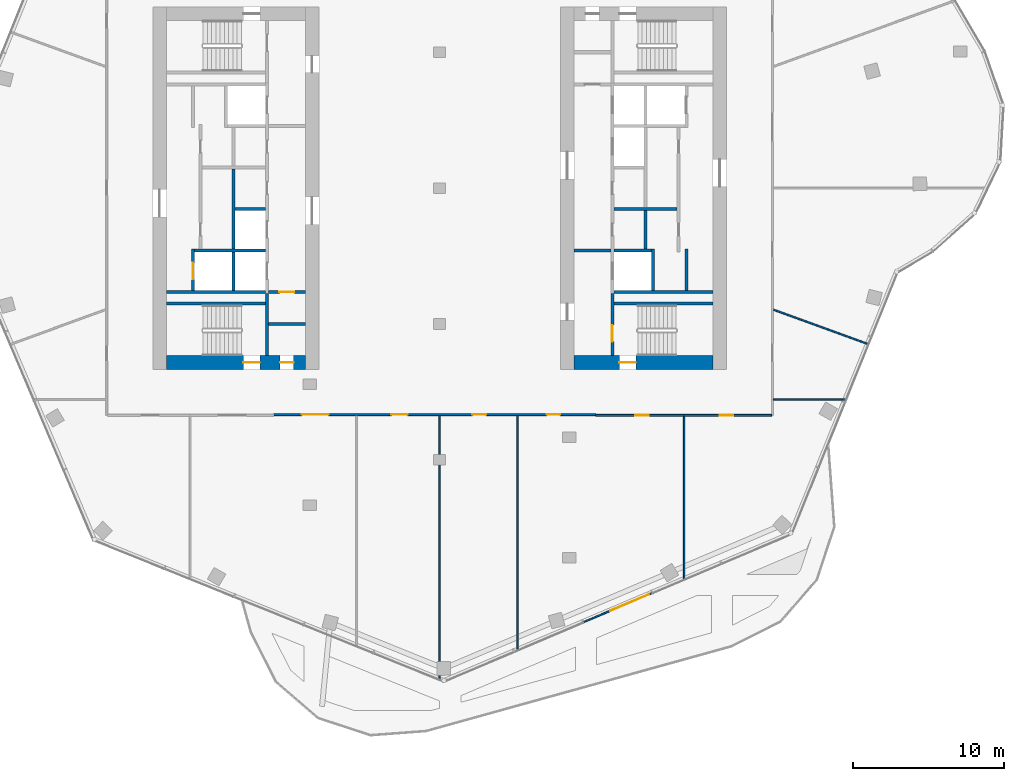
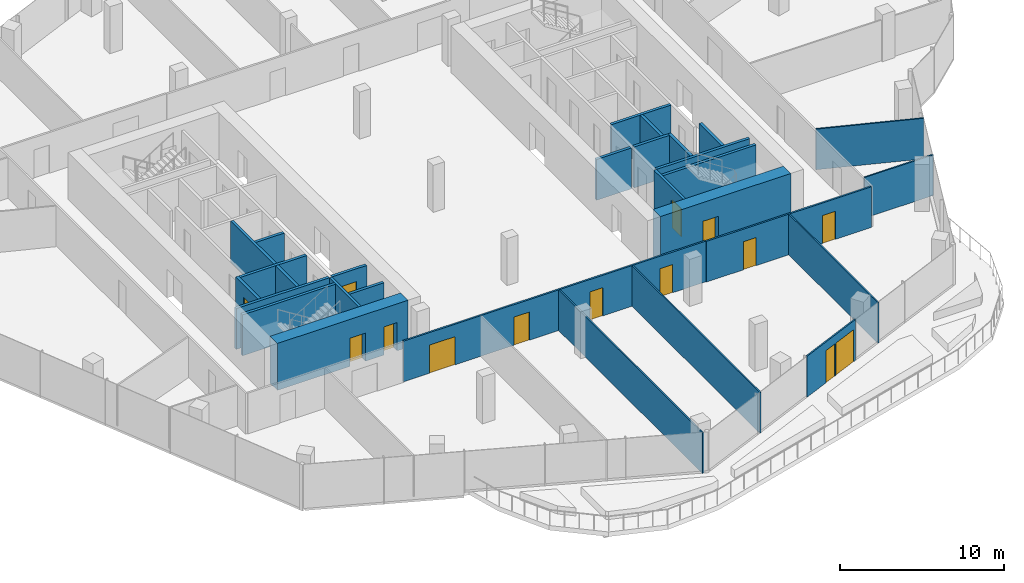
# One storey, part 12 of 17: 29 walls, 13 doors, 1 window, 14 openings.
"""IFC4 building model written with IfcOpenShell, lengths in metres."""

from ifc_helpers import new_model, si_unit, direction, frame, frame_2d, origin, place, context, subcontext, project, spatial, rectangle, extrude, material, layer, layer_set, type_object, element, fill, save


model = new_model("IFC4")

# Units and contexts
model_context = context("Model", 3, precision=1e-05, world=origin(), true_north=direction((0.0, 1.0)))
body_context = subcontext(model_context, "Body", "Model", "MODEL_VIEW")
ifc_project = project(units=[si_unit("LENGTHUNIT", "METRE"), si_unit("AREAUNIT", "SQUARE_METRE"), si_unit("VOLUMEUNIT", "CUBIC_METRE"), si_unit("PLANEANGLEUNIT", "RADIAN"), si_unit("MASSUNIT", "GRAM", prefix="KILO")], contexts=[model_context])

# Site, building, storey
site_placement = place(None, origin())
site = spatial("IfcSite", under=ifc_project, at=site_placement, CompositionType="ELEMENT")
building_placement = place(site_placement, origin())
building = spatial("IfcBuilding", under=site, at=building_placement, Name="Orlundy Tower", CompositionType="ELEMENT")
storey_placement = place(building_placement, frame((0.0, 0.0, 296.39990234375)))
storey = spatial("IfcBuildingStorey", under=building, at=storey_placement, Name="L79", CompositionType="ELEMENT", Elevation=296.39990234375)

# Wall, openings, doors
ifc_material_1 = material(Name="Concrete C50/60", Category="concrete")
ifc_layer_1 = layer(ifc_material_1, 0.89990234375)
ifc_layer_set_1 = layer_set([ifc_layer_1], Name="CORE WALL 900 C50/60")
wall_type_1 = type_object("IfcWallType", Name="CORE WALL 900 C50/60", PredefinedType="SHEAR", material=ifc_layer_set_1)
wall_1_placement = place(storey_placement, frame((-18.10009765625, -11.550048828125, 0.0), z_axis=(0.0, 0.0, 1.0), x_axis=(1.0, 0.0, 0.0)))
wall_1 = element("IfcWall", 1, at=wall_1_placement, inside=storey, type_object=wall_type_1, Name="Core wall W-S L79", PredefinedType="SHEAR", context=body_context, shape_type="SweptSolid", body=[
    extrude(rectangle(XDim=9.2001953125, YDim=0.89990234375, at=frame_2d((4.60009765625, 0.0))), origin(), (0.0, 0.0, 1.0), 3.5),
])
opening_1_placement = place(wall_1_placement, frame((5.10009765625, 0.0, 0.0)))
opening_1 = element("IfcOpeningElement", 2, at=opening_1_placement, cuts=wall_1, Name="Opening 61013", PredefinedType="OPENING", context=body_context, shape_type="SweptSolid", body=[
    extrude(rectangle(XDim=1.10009765625, YDim=2.10009765625, at=frame_2d((0.550048828125, 1.050048828125))), frame((0.0, 0.4599609375, 0.0), z_axis=(0.0, -1.0, 0.0), x_axis=(1.0, 0.0, 0.0)), (0.0, 0.0, 1.0), 0.919921875),
])
opening_2_placement = place(wall_1_placement, frame((7.530029296875, 0.0, 0.0)))
opening_2 = element("IfcOpeningElement", 3, at=opening_2_placement, cuts=wall_1, Name="Opening 61015", PredefinedType="OPENING", context=body_context, shape_type="SweptSolid", body=[
    extrude(rectangle(XDim=0.89990234375, YDim=2.10009765625, at=frame_2d((0.449951171875, 1.050048828125))), frame((0.0, 0.4599609375, 0.0), z_axis=(0.0, -1.0, 0.0), x_axis=(1.0, 0.0, 0.0)), (0.0, 0.0, 1.0), 0.919921875),
])
ifc_material_2 = material(Name="Timber door set", Category="wood")
door_type_1 = type_object("IfcDoorType", Name="Room Door 900x2100", OperationType="SINGLE_SWING_LEFT", PredefinedType="DOOR", material=ifc_material_2)
door_1_placement = place(opening_2_placement, origin())
door_1 = element("IfcDoor", 4, at=door_1_placement, inside=storey, type_object=door_type_1, Name="Store door 61015", OperationType="SINGLE_SWING_RIGHT", OverallHeight=2.10009765625, OverallWidth=0.89990234375, PredefinedType="DOOR", context=body_context, shape_type="SweptSolid", body=[
    extrude(rectangle(XDim=0.89990234375, YDim=2.10009765625, at=frame_2d((0.449951171875, 1.050048828125))), frame((0.0, 0.02490234375, 0.0), z_axis=(0.0, -1.0, 0.0), x_axis=(1.0, 0.0, 0.0)), (0.0, 0.0, 1.0), 0.050048828125),
])
fill(opening_2, door_1)
ifc_material_3 = material(Name="Steel door set", Category="steel")
door_type_2 = type_object("IfcDoorType", Name="Stair Door 1100x2100", OperationType="SINGLE_SWING_LEFT", PredefinedType="DOOR", material=ifc_material_3)
door_2_placement = place(opening_1_placement, origin())
door_2 = element("IfcDoor", 5, at=door_2_placement, inside=storey, type_object=door_type_2, Name="Stair door 61013", OperationType="SINGLE_SWING_RIGHT", OverallHeight=2.10009765625, OverallWidth=1.10009765625, PredefinedType="DOOR", context=body_context, shape_type="SweptSolid", body=[
    extrude(rectangle(XDim=1.10009765625, YDim=2.10009765625, at=frame_2d((0.550048828125, 1.050048828125))), frame((0.0, 0.02490234375, 0.0), z_axis=(0.0, -1.0, 0.0), x_axis=(1.0, 0.0, 0.0)), (0.0, 0.0, 1.0), 0.050048828125),
])
fill(opening_1, door_2)

# Wall, opening, door
wall_2_placement = place(storey_placement, frame((8.89990234375, -11.550048828125, 0.0), z_axis=(0.0, 0.0, 1.0), x_axis=(1.0, 0.0, 0.0)))
wall_2 = element("IfcWall", 6, at=wall_2_placement, inside=storey, type_object=wall_type_1, Name="Core wall E-S L79", PredefinedType="SHEAR", context=body_context, shape_type="SweptSolid", body=[
    extrude(rectangle(XDim=9.2001953125, YDim=0.89990234375, at=frame_2d((4.60009765625, 0.0))), origin(), (0.0, 0.0, 1.0), 3.5),
])
opening_3_placement = place(wall_2_placement, frame((3.0, 0.0, 0.0)))
opening_3 = element("IfcOpeningElement", 7, at=opening_3_placement, cuts=wall_2, Name="Opening 61061", PredefinedType="OPENING", context=body_context, shape_type="SweptSolid", body=[
    extrude(rectangle(XDim=1.10009765625, YDim=2.10009765625, at=frame_2d((0.550048828125, 1.050048828125))), frame((0.0, 0.4599609375, 0.0), z_axis=(0.0, -1.0, 0.0), x_axis=(1.0, 0.0, 0.0)), (0.0, 0.0, 1.0), 0.919921875),
])
door_3_placement = place(opening_3_placement, origin())
door_3 = element("IfcDoor", 8, at=door_3_placement, inside=storey, type_object=door_type_2, Name="Stair door 61061", OperationType="SINGLE_SWING_LEFT", OverallHeight=2.10009765625, OverallWidth=1.10009765625, PredefinedType="DOOR", context=body_context, shape_type="SweptSolid", body=[
    extrude(rectangle(XDim=1.10009765625, YDim=2.10009765625, at=frame_2d((0.550048828125, 1.050048828125))), frame((0.0, 0.02490234375, 0.0), z_axis=(0.0, -1.0, 0.0), x_axis=(1.0, 0.0, 0.0)), (0.0, 0.0, 1.0), 0.050048828125),
])
fill(opening_3, door_3)

# Walls
ifc_material_4 = material(Name="Gypsum board partition")
ifc_layer_2 = layer(ifc_material_4, 0.10009765625)
ifc_layer_set_2 = layer_set([ifc_layer_2], Name="Floor partition 100")
wall_type_2 = type_object("IfcWallType", Name="Floor partition 100", PredefinedType="PARTITIONING", material=ifc_layer_set_2)
wall_3_placement = place(storey_placement, frame((22.131103515625, -8.054931640625, 0.0), z_axis=(0.0, 0.0, 1.0), x_axis=(0.939658582815, -0.342113647406, 0.0)))
element("IfcWall", 9, at=wall_3_placement, inside=storey, type_object=wall_type_2, Name="wall-int-L79-002", PredefinedType="PARTITIONING", context=body_context, shape_type="SweptSolid", body=[
    extrude(rectangle(XDim=6.71728515625, YDim=0.10009765625, at=frame_2d((3.358642578125, 0.0))), origin(), (0.0, 0.0, 1.0), 3.030029296875),
])
wall_4_placement = place(storey_placement, frame((22.113037109375, -14.0, 0.0), z_axis=(0.0, 0.0, 1.0), x_axis=(1.0, 0.0, 0.0)))
element("IfcWall", 10, at=wall_4_placement, inside=storey, type_object=wall_type_2, Name="wall-int-L79-007", PredefinedType="PARTITIONING", context=body_context, shape_type="SweptSolid", body=[
    extrude(rectangle(XDim=4.85693359375, YDim=0.10009765625, at=frame_2d((2.428466796875, 0.0))), origin(), (0.0, 0.0, 1.0), 3.030029296875),
])
wall_5_placement = place(storey_placement, frame((16.199951171875, -25.987060546875, 0.0), z_axis=(0.0, 0.0, 1.0), x_axis=(0.0, 1.0, 0.0)))
element("IfcWall", 11, at=wall_5_placement, inside=storey, type_object=wall_type_2, Name="wall-int-L79-018", PredefinedType="PARTITIONING", context=body_context, shape_type="SweptSolid", body=[
    extrude(rectangle(XDim=10.873046875, YDim=0.10009765625, at=frame_2d((5.4365234375, 0.0))), origin(), (0.0, 0.0, 1.0), 3.030029296875),
])
wall_6_placement = place(storey_placement, frame((5.175048828125, -30.666015625, 0.0), z_axis=(0.0, 0.0, 1.0), x_axis=(0.0, 1.0, 0.0)))
element("IfcWall", 12, at=wall_6_placement, inside=storey, type_object=wall_type_2, Name="wall-int-L79-020", PredefinedType="PARTITIONING", context=body_context, shape_type="SweptSolid", body=[
    extrude(rectangle(XDim=15.60302734375, YDim=0.10009765625, at=frame_2d((7.801513671875, 0.0))), origin(), (0.0, 0.0, 1.0), 3.030029296875),
])
wall_7_placement = place(storey_placement, frame((0.0, -32.626953125, 0.0), z_axis=(0.0, 0.0, 1.0), x_axis=(0.0, 1.0, 0.0)))
element("IfcWall", 13, at=wall_7_placement, inside=storey, type_object=wall_type_2, Name="wall-int-L79-021", PredefinedType="PARTITIONING", context=body_context, shape_type="SweptSolid", body=[
    extrude(rectangle(XDim=17.56396484375, YDim=0.10009765625, at=frame_2d((8.781982421875, 0.0))), origin(), (0.0, 0.0, 1.0), 3.030029296875),
])

# Wall, openings, doors
ifc_material_5 = material(Name="Gypsum board partition, double layer")
ifc_layer_3 = layer(ifc_material_5, 0.125)
ifc_layer_set_3 = layer_set([ifc_layer_3], Name="Floor partition 125")
wall_type_3 = type_object("IfcWallType", Name="Floor partition 125", PredefinedType="PARTITIONING", material=ifc_layer_set_3)
wall_8_placement = place(storey_placement, frame((21.988037109375, -15.051025390625, 0.0), z_axis=(0.0, 0.0, 1.0), x_axis=(-1.0, 0.0, 0.0)))
wall_8 = element("IfcWall", 14, at=wall_8_placement, inside=storey, type_object=wall_type_3, Name="wall-int-L79-004", PredefinedType="PARTITIONING", context=body_context, shape_type="SweptSolid", body=[
    extrude(rectangle(XDim=11.637939453125, YDim=0.125, at=frame_2d((5.81884765625, 0.0))), origin(), (0.0, 0.0, 1.0), 3.030029296875),
])
opening_4_placement = place(wall_8_placement, frame((8.137451171875, 0.0, 0.0)))
opening_4 = element("IfcOpeningElement", 15, at=opening_4_placement, cuts=wall_8, Name="Opening 61108", PredefinedType="OPENING", context=body_context, shape_type="SweptSolid", body=[
    extrude(rectangle(XDim=0.89990234375, YDim=2.10009765625, at=frame_2d((0.449951171875, 1.050048828125))), frame((0.0, 0.072509765625, 0.0), z_axis=(0.0, -1.0, 0.0), x_axis=(1.0, 0.0, 0.0)), (0.0, 0.0, 1.0), 0.14501953125),
])
opening_5_placement = place(wall_8_placement, frame((2.53759765625, 0.0, 0.0)))
opening_5 = element("IfcOpeningElement", 16, at=opening_5_placement, cuts=wall_8, Name="Opening 61109", PredefinedType="OPENING", context=body_context, shape_type="SweptSolid", body=[
    extrude(rectangle(XDim=0.89990234375, YDim=2.10009765625, at=frame_2d((0.449951171875, 1.050048828125))), frame((0.0, 0.072509765625, 0.0), z_axis=(0.0, -1.0, 0.0), x_axis=(1.0, 0.0, 0.0)), (0.0, 0.0, 1.0), 0.14501953125),
])
ifc_material_6 = material(Name="Timber door leaf", Category="wood")
door_type_3 = type_object("IfcDoorType", Name="Floor door single 900 FD30S", OperationType="NOTDEFINED", PredefinedType="DOOR", material=ifc_material_6)
door_4_placement = place(opening_4_placement, origin())
door_4 = element("IfcDoor", 17, at=door_4_placement, inside=storey, type_object=door_type_3, Name="Door 61108", OperationType="SINGLE_SWING_RIGHT", OverallHeight=2.10009765625, OverallWidth=0.89990234375, PredefinedType="DOOR", context=body_context, shape_type="SweptSolid", body=[
    extrude(rectangle(XDim=0.89990234375, YDim=2.10009765625, at=frame_2d((0.449951171875, 1.050048828125))), frame((0.0, 0.02490234375, 0.0), z_axis=(0.0, -1.0, 0.0), x_axis=(1.0, 0.0, 0.0)), (0.0, 0.0, 1.0), 0.050048828125),
])
fill(opening_4, door_4)
door_5_placement = place(opening_5_placement, origin())
door_5 = element("IfcDoor", 18, at=door_5_placement, inside=storey, type_object=door_type_3, Name="Door 61109", OperationType="SINGLE_SWING_LEFT", OverallHeight=2.10009765625, OverallWidth=0.89990234375, PredefinedType="DOOR", context=body_context, shape_type="SweptSolid", body=[
    extrude(rectangle(XDim=0.89990234375, YDim=2.10009765625, at=frame_2d((0.449951171875, 1.050048828125))), frame((0.0, 0.02490234375, 0.0), z_axis=(0.0, -1.0, 0.0), x_axis=(1.0, 0.0, 0.0)), (0.0, 0.0, 1.0), 0.050048828125),
])
fill(opening_5, door_5)

wall_9_placement = place(storey_placement, frame((10.34912109375, -15.0009765625, 0.0), z_axis=(0.0, 0.0, 1.0), x_axis=(-1.0, 0.0, 0.0)))
wall_9 = element("IfcWall", 19, at=wall_9_placement, inside=storey, type_object=wall_type_3, Name="wall-int-L79-005", PredefinedType="PARTITIONING", context=body_context, shape_type="SweptSolid", body=[
    extrude(rectangle(XDim=21.339111328125, YDim=0.125, at=frame_2d((10.66943359375, 0.0))), origin(), (0.0, 0.0, 1.0), 3.030029296875),
])
opening_6_placement = place(wall_9_placement, frame((17.693115234375, 0.0, 0.0)))
opening_6 = element("IfcOpeningElement", 20, at=opening_6_placement, cuts=wall_9, Name="Opening 61104", PredefinedType="OPENING", context=body_context, shape_type="SweptSolid", body=[
    extrude(rectangle(XDim=1.800048828125, YDim=2.10009765625, at=frame_2d((0.89990234375, 1.050048828125))), frame((0.0, 0.072509765625, 0.0), z_axis=(0.0, -1.0, 0.0), x_axis=(1.0, 0.0, 0.0)), (0.0, 0.0, 1.0), 0.14501953125),
])
opening_7_placement = place(wall_9_placement, frame((12.448974609375, 0.0, 0.0)))
opening_7 = element("IfcOpeningElement", 21, at=opening_7_placement, cuts=wall_9, Name="Opening 61105", PredefinedType="OPENING", context=body_context, shape_type="SweptSolid", body=[
    extrude(rectangle(XDim=1.10009765625, YDim=2.10009765625, at=frame_2d((0.550048828125, 1.050048828125))), frame((0.0, 0.072509765625, 0.0), z_axis=(0.0, -1.0, 0.0), x_axis=(1.0, 0.0, 0.0)), (0.0, 0.0, 1.0), 0.14501953125),
])
opening_8_placement = place(wall_9_placement, frame((7.27392578125, 0.0, 0.0)))
opening_8 = element("IfcOpeningElement", 22, at=opening_8_placement, cuts=wall_9, Name="Opening 61106", PredefinedType="OPENING", context=body_context, shape_type="SweptSolid", body=[
    extrude(rectangle(XDim=0.89990234375, YDim=2.10009765625, at=frame_2d((0.449951171875, 1.050048828125))), frame((0.0, 0.072509765625, 0.0), z_axis=(0.0, -1.0, 0.0), x_axis=(1.0, 0.0, 0.0)), (0.0, 0.0, 1.0), 0.14501953125),
])
opening_9_placement = place(wall_9_placement, frame((2.35009765625, 0.0, 0.0)))
opening_9 = element("IfcOpeningElement", 23, at=opening_9_placement, cuts=wall_9, Name="Opening 61107", PredefinedType="OPENING", context=body_context, shape_type="SweptSolid", body=[
    extrude(rectangle(XDim=0.89990234375, YDim=2.10009765625, at=frame_2d((0.449951171875, 1.050048828125))), frame((0.0, 0.072509765625, 0.0), z_axis=(0.0, -1.0, 0.0), x_axis=(1.0, 0.0, 0.0)), (0.0, 0.0, 1.0), 0.14501953125),
])
ifc_material_7 = material(Name="Timber door leaf", Category="wood")
door_type_4 = type_object("IfcDoorType", Name="Floor door double 1800 FD30S", OperationType="NOTDEFINED", PredefinedType="DOOR", material=ifc_material_7)
door_6_placement = place(opening_6_placement, origin())
door_6 = element("IfcDoor", 24, at=door_6_placement, inside=storey, type_object=door_type_4, Name="Door 61104", OperationType="DOUBLE_DOOR_SINGLE_SWING", OverallHeight=2.10009765625, OverallWidth=1.800048828125, PredefinedType="DOOR", context=body_context, shape_type="SweptSolid", body=[
    extrude(rectangle(XDim=1.800048828125, YDim=2.10009765625, at=frame_2d((0.89990234375, 1.050048828125))), frame((0.0, 0.02490234375, 0.0), z_axis=(0.0, -1.0, 0.0), x_axis=(1.0, 0.0, 0.0)), (0.0, 0.0, 1.0), 0.050048828125),
])
fill(opening_6, door_6)
door_7_placement = place(opening_8_placement, origin())
door_7 = element("IfcDoor", 25, at=door_7_placement, inside=storey, type_object=door_type_3, Name="Door 61106", OperationType="SINGLE_SWING_LEFT", OverallHeight=2.10009765625, OverallWidth=0.89990234375, PredefinedType="DOOR", context=body_context, shape_type="SweptSolid", body=[
    extrude(rectangle(XDim=0.89990234375, YDim=2.10009765625, at=frame_2d((0.449951171875, 1.050048828125))), frame((0.0, 0.02490234375, 0.0), z_axis=(0.0, -1.0, 0.0), x_axis=(1.0, 0.0, 0.0)), (0.0, 0.0, 1.0), 0.050048828125),
])
fill(opening_8, door_7)
door_8_placement = place(opening_9_placement, origin())
door_8 = element("IfcDoor", 26, at=door_8_placement, inside=storey, type_object=door_type_3, Name="Door 61107", OperationType="SINGLE_SWING_LEFT", OverallHeight=2.10009765625, OverallWidth=0.89990234375, PredefinedType="DOOR", context=body_context, shape_type="SweptSolid", body=[
    extrude(rectangle(XDim=0.89990234375, YDim=2.10009765625, at=frame_2d((0.449951171875, 1.050048828125))), frame((0.0, 0.02490234375, 0.0), z_axis=(0.0, -1.0, 0.0), x_axis=(1.0, 0.0, 0.0)), (0.0, 0.0, 1.0), 0.050048828125),
])
fill(opening_9, door_8)
ifc_material_8 = material(Name="Timber door leaf", Category="wood")
door_type_5 = type_object("IfcDoorType", Name="Floor door xwide 1100 FD30S", OperationType="NOTDEFINED", PredefinedType="DOOR", material=ifc_material_8)
door_9_placement = place(opening_7_placement, origin())
door_9 = element("IfcDoor", 27, at=door_9_placement, inside=storey, type_object=door_type_5, Name="Door 61105", OperationType="SINGLE_SWING_RIGHT", OverallHeight=2.10009765625, OverallWidth=1.10009765625, PredefinedType="DOOR", context=body_context, shape_type="SweptSolid", body=[
    extrude(rectangle(XDim=1.10009765625, YDim=2.10009765625, at=frame_2d((0.550048828125, 1.050048828125))), frame((0.0, 0.02490234375, 0.0), z_axis=(0.0, -1.0, 0.0), x_axis=(1.0, 0.0, 0.0)), (0.0, 0.0, 1.0), 0.050048828125),
])
fill(opening_7, door_9)

# Wall, openings, window, door
ifc_material_9 = material(Name="Aluminium bronze and tinted glass", Category="aluminium")
ifc_layer_4 = layer(ifc_material_9, 0.10009765625)
ifc_layer_set_4 = layer_set([ifc_layer_4], Name="Glazed door screen")
wall_type_4 = type_object("IfcWallType", Name="Glazed door screen", PredefinedType="STANDARD", material=ifc_layer_set_4)
wall_10_placement = place(storey_placement, frame((14.06103515625, -26.8291015625, 0.0), z_axis=(0.0, 0.0, 1.0), x_axis=(-0.920509872574, -0.390719303968, 0.0)))
wall_10 = element("IfcWall", 28, at=wall_10_placement, inside=storey, type_object=wall_type_4, Name="Glazed door screen", PredefinedType="STANDARD", context=body_context, shape_type="SweptSolid", body=[
    extrude(rectangle(XDim=4.920654296875, YDim=0.10009765625, at=frame_2d((2.46044921875, 0.0))), origin(), (0.0, 0.0, 1.0), 3.050048828125),
])
opening_10_placement = place(wall_10_placement, frame((0.199951171875, 0.0, 0.0)))
opening_10 = element("IfcOpeningElement", 29, at=opening_10_placement, cuts=wall_10, Name="Opening 61940", PredefinedType="OPENING", context=body_context, shape_type="SweptSolid", body=[
    extrude(rectangle(XDim=1.800048828125, YDim=2.39990234375, at=frame_2d((0.89990234375, 1.199951171875))), frame((0.0, 0.06005859375, 0.0), z_axis=(0.0, -1.0, 0.0), x_axis=(1.0, 0.0, 0.0)), (0.0, 0.0, 1.0), 0.1201171875),
])
opening_11_placement = place(wall_10_placement, frame((2.10009765625, 0.0, 0.0)))
opening_11 = element("IfcOpeningElement", 30, at=opening_11_placement, cuts=wall_10, Name="Opening W02", PredefinedType="OPENING", context=body_context, shape_type="SweptSolid", body=[
    extrude(rectangle(XDim=0.89990234375, YDim=2.39990234375, at=frame_2d((0.449951171875, 1.199951171875))), frame((0.0, 0.06005859375, 0.0), z_axis=(0.0, -1.0, 0.0), x_axis=(1.0, 0.0, 0.0)), (0.0, 0.0, 1.0), 0.1201171875),
])
ifc_material_10 = material(Name="Tinted glass in bronze aluminium frame", Category="aluminium")
window_type = type_object("IfcWindowType", Name="SL2 sidelight 900x2400", PartitioningType="SINGLE_PANEL", PredefinedType="WINDOW", material=ifc_material_10)
window_placement = place(opening_11_placement, origin())
window = element("IfcWindow", 31, at=window_placement, inside=storey, type_object=window_type, Name="Window W02 L79", OverallHeight=2.39990234375, OverallWidth=0.89990234375, PartitioningType="SINGLE_PANEL", PredefinedType="WINDOW", context=body_context, shape_type="SweptSolid", body=[
    extrude(rectangle(XDim=0.89990234375, YDim=2.39990234375, at=frame_2d((0.449951171875, 1.199951171875))), frame((0.0, 0.030029296875, 0.0), z_axis=(0.0, -1.0, 0.0), x_axis=(1.0, 0.0, 0.0)), (0.0, 0.0, 1.0), 0.06005859375),
])
fill(opening_11, window)
ifc_material_11 = material(Name="Aluminium bronze and tinted glass", Category="aluminium")
door_type_6 = type_object("IfcDoorType", Name="TD3 terrace sliding door 1800x2400", OperationType="DOUBLE_DOOR_SLIDING", PredefinedType="DOOR", material=ifc_material_11)
door_10_placement = place(opening_10_placement, origin())
door_10 = element("IfcDoor", 32, at=door_10_placement, inside=storey, type_object=door_type_6, Name="Door 61940", OperationType="DOUBLE_DOOR_SLIDING", OverallHeight=2.39990234375, OverallWidth=1.800048828125, PredefinedType="DOOR", context=body_context, shape_type="SweptSolid", body=[
    extrude(rectangle(XDim=1.800048828125, YDim=2.39990234375, at=frame_2d((0.89990234375, 1.199951171875))), frame((0.0, 0.02490234375, 0.0), z_axis=(0.0, -1.0, 0.0), x_axis=(1.0, 0.0, 0.0)), (0.0, 0.0, 1.0), 0.050048828125),
])
fill(opening_10, door_10)

# Walls
ifc_material_12 = material(Name="Concrete C40/50", Category="concrete")
ifc_layer_5 = layer(ifc_material_12, 0.199951171875)
ifc_layer_set_5 = layer_set([ifc_layer_5], Name="Load-bearing Shaft Wall 200")
wall_type_5 = type_object("IfcWallType", Name="Load-bearing Shaft Wall 200", PredefinedType="SOLIDWALL", material=ifc_layer_set_5)
wall_11_placement = place(storey_placement, frame((-11.43994140625, -11.10009765625, 0.0), z_axis=(0.0, 0.0, 1.0), x_axis=(0.0, 1.0, 0.0)))
element("IfcWall", 33, at=wall_11_placement, inside=storey, type_object=wall_type_5, Name="Shaft wall W61-stair-end-s", PredefinedType="SOLIDWALL", context=body_context, shape_type="SweptSolid", body=[
    extrude(rectangle(XDim=4.125, YDim=0.199951171875, at=frame_2d((2.0625, 0.0))), origin(), (0.0, 0.0, 1.0), 3.050048828125),
])
wall_12_placement = place(storey_placement, frame((-11.5400390625, -7.64990234375, 0.0), z_axis=(0.0, 0.0, 1.0), x_axis=(-1.0, 0.0, 0.0)))
element("IfcWall", 34, at=wall_12_placement, inside=storey, type_object=wall_type_5, Name="Shaft wall W61-stair-side-s", PredefinedType="SOLIDWALL", context=body_context, shape_type="SweptSolid", body=[
    extrude(rectangle(XDim=6.56005859375, YDim=0.199951171875, at=frame_2d((3.280029296875, 0.0))), origin(), (0.0, 0.0, 1.0), 3.050048828125),
])

# Wall, opening, door
wall_13_placement = place(storey_placement, frame((11.43994140625, -6.97509765625, 0.0), z_axis=(0.0, 0.0, 1.0), x_axis=(0.0, -1.0, 0.0)))
wall_13 = element("IfcWall", 35, at=wall_13_placement, inside=storey, type_object=wall_type_5, Name="Shaft wall E61-stair-end-n", PredefinedType="SOLIDWALL", context=body_context, shape_type="SweptSolid", body=[
    extrude(rectangle(XDim=4.125, YDim=0.199951171875, at=frame_2d((2.0625, 0.0))), origin(), (0.0, 0.0, 1.0), 3.050048828125),
])
opening_12_placement = place(wall_13_placement, frame((2.10009765625, 0.0, 0.0)))
opening_12 = element("IfcOpeningElement", 36, at=opening_12_placement, cuts=wall_13, Name="Opening 61063", PredefinedType="OPENING", context=body_context, shape_type="SweptSolid", body=[
    extrude(rectangle(XDim=1.10009765625, YDim=2.10009765625, at=frame_2d((0.550048828125, 1.050048828125))), frame((0.0, 0.110107421875, 0.0), z_axis=(0.0, -1.0, 0.0), x_axis=(1.0, 0.0, 0.0)), (0.0, 0.0, 1.0), 0.22021484375),
])
ifc_material_13 = material(Name="Steel door set", Category="steel")
door_type_7 = type_object("IfcDoorType", Name="Fire-fighting Lobby Door 1100x2100", OperationType="SINGLE_SWING_LEFT", PredefinedType="DOOR", material=ifc_material_13)
door_11_placement = place(opening_12_placement, origin())
door_11 = element("IfcDoor", 37, at=door_11_placement, inside=storey, type_object=door_type_7, Name="Fire-fighting lobby to stair door 61063", OperationType="SINGLE_SWING_RIGHT", OverallHeight=2.10009765625, OverallWidth=1.10009765625, PredefinedType="DOOR", context=body_context, shape_type="SweptSolid", body=[
    extrude(rectangle(XDim=1.10009765625, YDim=2.10009765625, at=frame_2d((0.550048828125, 1.050048828125))), frame((0.0, 0.02490234375, 0.0), z_axis=(0.0, -1.0, 0.0), x_axis=(1.0, 0.0, 0.0)), (0.0, 0.0, 1.0), 0.050048828125),
])
fill(opening_12, door_11)

# Wall
wall_14_placement = place(storey_placement, frame((11.5400390625, -7.64990234375, 0.0), z_axis=(0.0, 0.0, 1.0), x_axis=(1.0, 0.0, 0.0)))
element("IfcWall", 38, at=wall_14_placement, inside=storey, type_object=wall_type_5, Name="Shaft wall E61-stair-side-n", PredefinedType="SOLIDWALL", context=body_context, shape_type="SweptSolid", body=[
    extrude(rectangle(XDim=6.56005859375, YDim=0.199951171875, at=frame_2d((3.280029296875, 0.0))), origin(), (0.0, 0.0, 1.0), 3.050048828125),
])

# Wall, opening, door
ifc_material_14 = material(Name="Gypsum board partition on steel studs", Category="steel")
ifc_layer_6 = layer(ifc_material_14, 0.199951171875)
ifc_layer_set_6 = layer_set([ifc_layer_6], Name="Partition 200")
wall_type_6 = type_object("IfcWallType", Name="Partition 200", PredefinedType="PARTITIONING", material=ifc_layer_set_6)
wall_15_placement = place(storey_placement, frame((-8.89990234375, -6.875, 0.0), z_axis=(0.0, 0.0, 1.0), x_axis=(-1.0, 0.0, 0.0)))
wall_15 = element("IfcWall", 39, at=wall_15_placement, inside=storey, type_object=wall_type_6, Name="Partition wall W61-end-s", PredefinedType="PARTITIONING", context=body_context, shape_type="SweptSolid", body=[
    extrude(rectangle(XDim=2.440185546875, YDim=0.199951171875, at=frame_2d((1.22021484375, 0.0))), origin(), (0.0, 0.0, 1.0), 3.050048828125),
])
opening_13_placement = place(wall_15_placement, frame((0.719970703125, 0.0, 0.0)))
opening_13 = element("IfcOpeningElement", 40, at=opening_13_placement, cuts=wall_15, Name="Opening 61016", PredefinedType="OPENING", context=body_context, shape_type="SweptSolid", body=[
    extrude(rectangle(XDim=1.0, YDim=2.10009765625, at=frame_2d((0.5, 1.050048828125))), frame((0.0, 0.110107421875, 0.0), z_axis=(0.0, -1.0, 0.0), x_axis=(1.0, 0.0, 0.0)), (0.0, 0.0, 1.0), 0.22021484375),
])
ifc_material_15 = material(Name="Timber door set", Category="wood")
door_type_8 = type_object("IfcDoorType", Name="Accessible Door 1000x2100", OperationType="SINGLE_SWING_LEFT", PredefinedType="DOOR", material=ifc_material_15)
door_12_placement = place(opening_13_placement, origin())
door_12 = element("IfcDoor", 41, at=door_12_placement, inside=storey, type_object=door_type_8, Name="Accessible WC door 61016", OperationType="SINGLE_SWING_RIGHT", OverallHeight=2.10009765625, OverallWidth=1.0, PredefinedType="DOOR", context=body_context, shape_type="SweptSolid", body=[
    extrude(rectangle(XDim=1.0, YDim=2.10009765625, at=frame_2d((0.5, 1.050048828125))), frame((0.0, 0.02490234375, 0.0), z_axis=(0.0, -1.0, 0.0), x_axis=(1.0, 0.0, 0.0)), (0.0, 0.0, 1.0), 0.050048828125),
])
fill(opening_13, door_12)

# Walls
for number, where, z_axis, x_axis, name in (
    (42, (-8.89990234375, -9.0, 0.0), (0.0, 0.0, 1.0), (-1.0, 0.0, 0.0), "Partition wall W61-room-s0"),
    (43, (8.89990234375, -4.125, 0.0), (0.0, 0.0, 1.0), (1.0, 0.0, 0.0), "Partition wall E61-lobby-n"),
):
    element("IfcWall", number, at=place(storey_placement, frame(where, z_axis=z_axis, x_axis=x_axis)), inside=storey, type_object=wall_type_6, Name=name, PredefinedType="PARTITIONING", context=body_context, shape_type="SweptSolid", body=[
        extrude(rectangle(XDim=2.440185546875, YDim=0.199951171875, at=frame_2d((1.22021484375, 0.0))), origin(), (0.0, 0.0, 1.0), 3.050048828125),
    ])
ifc_material_16 = material(Name="Fire-rated blockwork shaft wall", Category="masonry")
ifc_layer_7 = layer(ifc_material_16, 0.199951171875)
ifc_layer_set_7 = layer_set([ifc_layer_7], Name="Shaft Wall 200")
wall_type_7 = type_object("IfcWallType", Name="Shaft Wall 200", PredefinedType="SOLIDWALL", material=ifc_layer_set_7)
wall_16_placement = place(storey_placement, frame((-11.5400390625, -6.875, 0.0), z_axis=(0.0, 0.0, 1.0), x_axis=(-1.0, 0.0, 0.0)))
element("IfcWall", 44, at=wall_16_placement, inside=storey, type_object=wall_type_7, Name="Shaft wall W61-zone-s", PredefinedType="SOLIDWALL", context=body_context, shape_type="SweptSolid", body=[
    extrude(rectangle(XDim=6.56005859375, YDim=0.199951171875, at=frame_2d((3.280029296875, 0.0))), origin(), (0.0, 0.0, 1.0), 3.050048828125),
])
wall_17_placement = place(storey_placement, frame((-11.5400390625, -4.125, 0.0), z_axis=(0.0, 0.0, 1.0), x_axis=(-1.0, 0.0, 0.0)))
element("IfcWall", 45, at=wall_17_placement, inside=storey, type_object=wall_type_7, Name="Shaft wall W61-cross-4.125", PredefinedType="SOLIDWALL", context=body_context, shape_type="SweptSolid", body=[
    extrude(rectangle(XDim=4.699951171875, YDim=0.199951171875, at=frame_2d((2.35009765625, 0.0))), origin(), (0.0, 0.0, 1.0), 3.050048828125),
])
wall_18_placement = place(storey_placement, frame((-11.5400390625, -1.375, 0.0), z_axis=(0.0, 0.0, 1.0), x_axis=(-1.0, 0.0, 0.0)))
element("IfcWall", 46, at=wall_18_placement, inside=storey, type_object=wall_type_7, Name="Shaft wall W61-cross-1.375", PredefinedType="SOLIDWALL", context=body_context, shape_type="SweptSolid", body=[
    extrude(rectangle(XDim=2.0, YDim=0.199951171875, at=frame_2d((1.0, 0.0))), origin(), (0.0, 0.0, 1.0), 3.050048828125),
])
wall_19_placement = place(storey_placement, frame((-13.639892578125, -6.77490234375, 0.0), z_axis=(0.0, 0.0, 1.0), x_axis=(0.0, 1.0, 0.0)))
element("IfcWall", 47, at=wall_19_placement, inside=storey, type_object=wall_type_7, Name="Shaft wall W61-mid-a", PredefinedType="SOLIDWALL", context=body_context, shape_type="SweptSolid", body=[
    extrude(rectangle(XDim=2.5498046875, YDim=0.199951171875, at=frame_2d((1.27490234375, 0.0))), origin(), (0.0, 0.0, 1.0), 3.050048828125),
])
wall_20_placement = place(storey_placement, frame((-13.639892578125, -4.02490234375, 0.0), z_axis=(0.0, 0.0, 1.0), x_axis=(0.0, 1.0, 0.0)))
element("IfcWall", 48, at=wall_20_placement, inside=storey, type_object=wall_type_7, Name="Shaft wall W61-mid-a.1", PredefinedType="SOLIDWALL", context=body_context, shape_type="SweptSolid", body=[
    extrude(rectangle(XDim=5.2998046875, YDim=0.199951171875, at=frame_2d((2.64990234375, 0.0))), origin(), (0.0, 0.0, 1.0), 3.050048828125),
])

# Wall, opening, door
wall_21_placement = place(storey_placement, frame((-16.340087890625, -6.77490234375, 0.0), z_axis=(0.0, 0.0, 1.0), x_axis=(0.0, 1.0, 0.0)))
wall_21 = element("IfcWall", 49, at=wall_21_placement, inside=storey, type_object=wall_type_7, Name="Shaft wall W61-front-o-a", PredefinedType="SOLIDWALL", context=body_context, shape_type="SweptSolid", body=[
    extrude(rectangle(XDim=2.75, YDim=0.199951171875, at=frame_2d((1.375, 0.0))), origin(), (0.0, 0.0, 1.0), 3.050048828125),
])
opening_14_placement = place(wall_21_placement, frame((0.72509765625, 0.0, 0.0)))
opening_14 = element("IfcOpeningElement", 50, at=opening_14_placement, cuts=wall_21, Name="Opening 61002", PredefinedType="OPENING", context=body_context, shape_type="SweptSolid", body=[
    extrude(rectangle(XDim=1.10009765625, YDim=2.10009765625, at=frame_2d((0.550048828125, 1.050048828125))), frame((0.0, 0.110107421875, 0.0), z_axis=(0.0, -1.0, 0.0), x_axis=(1.0, 0.0, 0.0)), (0.0, 0.0, 1.0), 0.22021484375),
])
ifc_material_17 = material(Name="Steel door set", Category="steel")
door_type_9 = type_object("IfcDoorType", Name="Landing Door 1100x2100", OperationType="DOUBLE_DOOR_SLIDING", PredefinedType="DOOR", material=ifc_material_17)
door_13_placement = place(opening_14_placement, origin())
door_13 = element("IfcDoor", 51, at=door_13_placement, inside=storey, type_object=door_type_9, Name="Lift landing door LV-01 61002", OperationType="DOUBLE_DOOR_SLIDING", OverallHeight=2.10009765625, OverallWidth=1.10009765625, PredefinedType="DOOR", context=body_context, shape_type="SweptSolid", body=[
    extrude(rectangle(XDim=1.10009765625, YDim=2.10009765625, at=frame_2d((0.550048828125, 1.050048828125))), frame((0.0, 0.02490234375, 0.0), z_axis=(0.0, -1.0, 0.0), x_axis=(1.0, 0.0, 0.0)), (0.0, 0.0, 1.0), 0.050048828125),
])
fill(opening_14, door_13)

# Walls
wall_22_placement = place(storey_placement, frame((11.5400390625, -6.875, 0.0), z_axis=(0.0, 0.0, 1.0), x_axis=(1.0, 0.0, 0.0)))
element("IfcWall", 52, at=wall_22_placement, inside=storey, type_object=wall_type_7, Name="Shaft wall E61-zone-n", PredefinedType="SOLIDWALL", context=body_context, shape_type="SweptSolid", body=[
    extrude(rectangle(XDim=6.56005859375, YDim=0.199951171875, at=frame_2d((3.280029296875, 0.0))), origin(), (0.0, 0.0, 1.0), 3.050048828125),
])
wall_23_placement = place(storey_placement, frame((11.5400390625, -1.375, 0.0), z_axis=(0.0, 0.0, 1.0), x_axis=(1.0, 0.0, 0.0)))
element("IfcWall", 53, at=wall_23_placement, inside=storey, type_object=wall_type_7, Name="Shaft wall E61-cross+1.375", PredefinedType="SOLIDWALL", context=body_context, shape_type="SweptSolid", body=[
    extrude(rectangle(XDim=4.199951171875, YDim=0.199951171875, at=frame_2d((2.10009765625, 0.0))), origin(), (0.0, 0.0, 1.0), 3.050048828125),
])
wall_24_placement = place(storey_placement, frame((11.5400390625, -4.125, 0.0), z_axis=(0.0, 0.0, 1.0), x_axis=(1.0, 0.0, 0.0)))
element("IfcWall", 54, at=wall_24_placement, inside=storey, type_object=wall_type_7, Name="Shaft wall E61-cross+4.125", PredefinedType="SOLIDWALL", context=body_context, shape_type="SweptSolid", body=[
    extrude(rectangle(XDim=2.5, YDim=0.199951171875, at=frame_2d((1.25, 0.0))), origin(), (0.0, 0.0, 1.0), 3.050048828125),
])
wall_25_placement = place(storey_placement, frame((13.639892578125, -1.47509765625, 0.0), z_axis=(0.0, 0.0, 1.0), x_axis=(0.0, -1.0, 0.0)))
element("IfcWall", 55, at=wall_25_placement, inside=storey, type_object=wall_type_7, Name="Shaft wall E61-mid-a.2", PredefinedType="SOLIDWALL", context=body_context, shape_type="SweptSolid", body=[
    extrude(rectangle(XDim=2.5498046875, YDim=0.199951171875, at=frame_2d((1.27490234375, 0.0))), origin(), (0.0, 0.0, 1.0), 3.050048828125),
])
for number, where, z_axis, x_axis, name in (
    (56, (14.139892578125, -4.02490234375, 0.0), (0.0, 0.0, 1.0), (0.0, -1.0, 0.0), "Shaft wall E61-mid-b"),
    (57, (16.340087890625, -4.02490234375, 0.0), (0.0, 0.0, 1.0), (0.0, -1.0, 0.0), "Shaft wall E61-front-o-c"),
):
    element("IfcWall", number, at=place(storey_placement, frame(where, z_axis=z_axis, x_axis=x_axis)), inside=storey, type_object=wall_type_7, Name=name, PredefinedType="SOLIDWALL", context=body_context, shape_type="SweptSolid", body=[
        extrude(rectangle(XDim=2.75, YDim=0.199951171875, at=frame_2d((1.375, 0.0))), origin(), (0.0, 0.0, 1.0), 3.050048828125),
    ])

save(model, "model.ifc")
